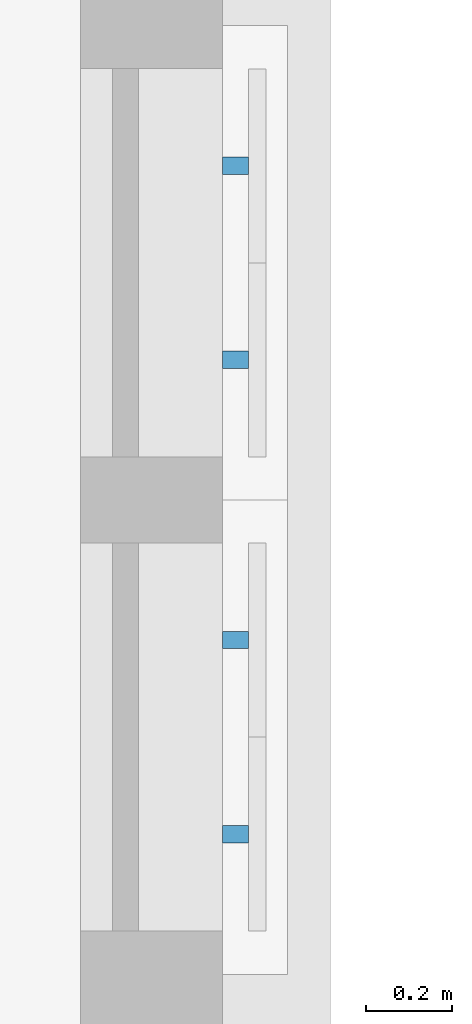
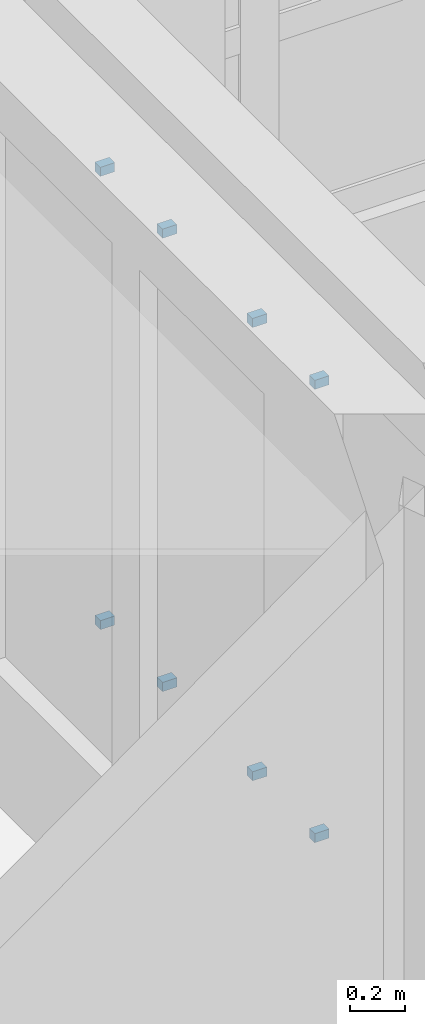
# One storey, part 48 of 69: 8 discrete accessories.
"""IFC4 building model written with IfcOpenShell, lengths in metres."""

from ifc_helpers import new_model, si_unit, direction, frame, origin, origin_2d, place, context, subcontext, project, spatial, rectangle, extrude, material, type_object, element, save


model = new_model("IFC4")

# Units and contexts
model_context = context("Model", 3, precision=1e-05, world=origin(), true_north=direction((0.0, 1.0)))
body_context = subcontext(model_context, "Body", "Model", "MODEL_VIEW")
ifc_project = project(units=[si_unit("LENGTHUNIT", "METRE"), si_unit("AREAUNIT", "SQUARE_METRE"), si_unit("VOLUMEUNIT", "CUBIC_METRE"), si_unit("PLANEANGLEUNIT", "RADIAN"), si_unit("MASSUNIT", "GRAM", prefix="KILO")], contexts=[model_context])

# Site, building, storey
site_placement = place(None, origin())
site = spatial("IfcSite", under=ifc_project, at=site_placement, CompositionType="ELEMENT")
building_placement = place(site_placement, origin())
building = spatial("IfcBuilding", under=site, at=building_placement, Name="Mazhai Court Health Centre", CompositionType="ELEMENT")
storey_placement = place(building_placement, frame((0.0, 0.0, 6.300048828125)))
storey = spatial("IfcBuildingStorey", under=building, at=storey_placement, Name="L01", CompositionType="ELEMENT", Elevation=6.300048828125)

# Discrete accessories
ifc_material = material(Name="Steel IS 2062 E250", Category="steel")
discrete_accessory_type = type_object("IfcDiscreteAccessoryType", Name="BRACKET 40", PredefinedType="BRACKET", material=ifc_material)
for number, where, z_axis, x_axis, name in (
    (1, (35.195068359375, 18.02490234375, 0.780029296875), (0.0, 0.0, 1.0), (0.0, 1.0, 0.0), "BR-V5-L01-B11aa0"),
    (2, (35.195068359375, 18.02490234375, 2.780029296875), (0.0, 0.0, 1.0), (0.0, 1.0, 0.0), "BR-V5-L01-B11aa1"),
    (3, (35.195068359375, 18.47509765625, 0.780029296875), (0.0, 0.0, 1.0), (0.0, 1.0, 0.0), "BR-V5-L01-B11ab0"),
    (4, (35.195068359375, 18.47509765625, 2.780029296875), (0.0, 0.0, 1.0), (0.0, 1.0, 0.0), "BR-V5-L01-B11ab1"),
    (5, (35.195068359375, 19.125, 0.780029296875), (0.0, 0.0, 1.0), (0.0, 1.0, 0.0), "BR-V5-L01-B11ba0"),
    (6, (35.195068359375, 19.125, 2.780029296875), (0.0, 0.0, 1.0), (0.0, 1.0, 0.0), "BR-V5-L01-B11ba1"),
    (7, (35.195068359375, 19.574951171875, 0.780029296875), (0.0, 0.0, 1.0), (0.0, 1.0, 0.0), "BR-V5-L01-B11bb0"),
    (8, (35.195068359375, 19.574951171875, 2.780029296875), (0.0, 0.0, 1.0), (0.0, 1.0, 0.0), "BR-V5-L01-B11bb1"),
):
    element("IfcDiscreteAccessory", number, at=place(storey_placement, frame(where, z_axis=z_axis, x_axis=x_axis)), inside=storey, type_object=discrete_accessory_type, Name=name, PredefinedType="BRACKET", context=body_context, shape_type="SweptSolid", body=[
        extrude(rectangle(XDim=0.0400390625, YDim=0.06005859375, at=origin_2d()), origin(), (0.0, 0.0, 1.0), 0.0400390625),
    ])

save(model, "model.ifc")
